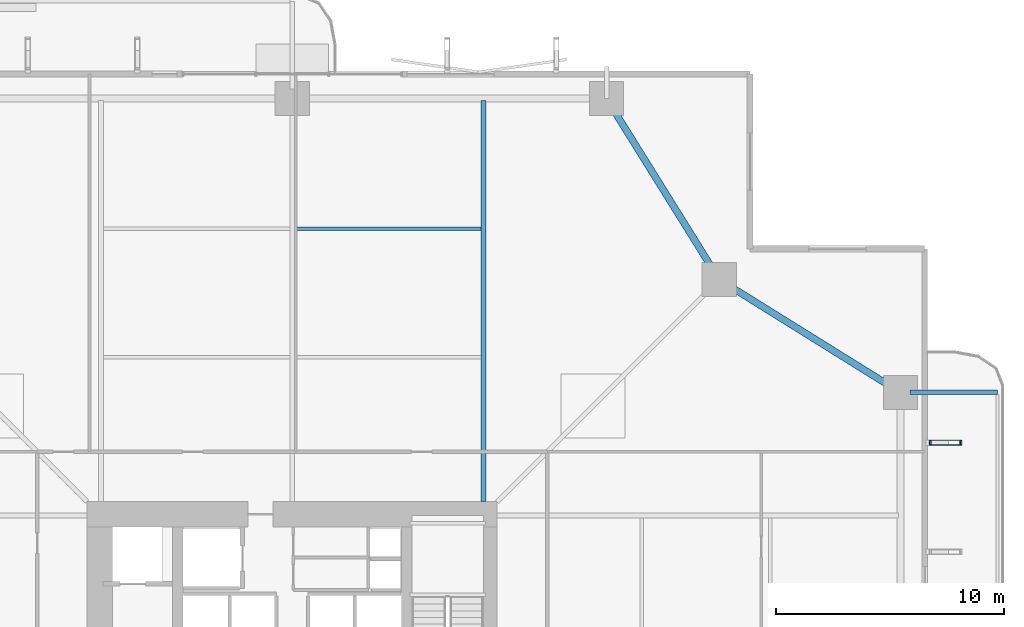
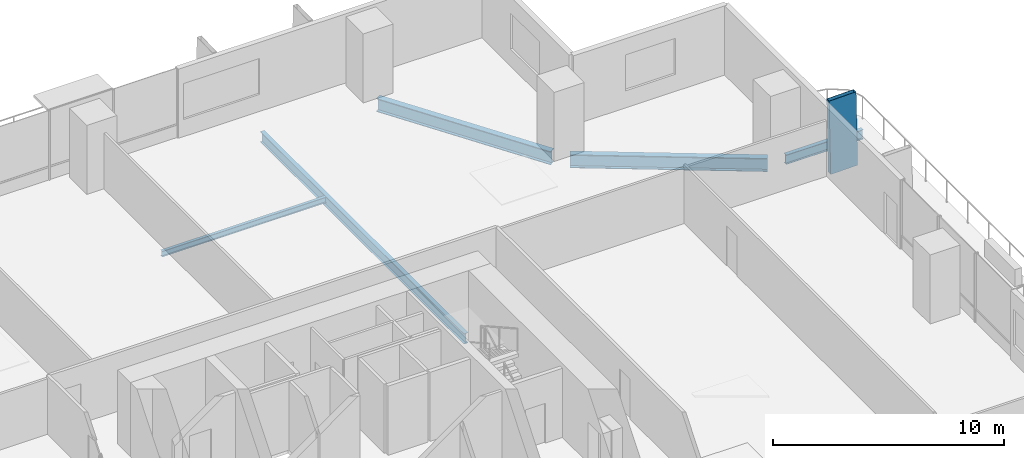
# One storey, part 14 of 24: 5 beams, 1 member.
"""IFC4 building model written with IfcOpenShell, lengths in metres."""

from ifc_helpers import new_model, si_unit, direction, frame, origin, origin_2d, place, context, subcontext, project, spatial, hollow_rectangle, i_section, extrude, material, material_profile, profile_set, type_object, element, save


model = new_model("IFC4")

# Units and contexts
model_context = context("Model", 3, precision=1e-05, world=origin(), true_north=direction((0.0, 1.0)))
body_context = subcontext(model_context, "Body", "Model", "MODEL_VIEW")
ifc_project = project(units=[si_unit("LENGTHUNIT", "METRE"), si_unit("AREAUNIT", "SQUARE_METRE"), si_unit("VOLUMEUNIT", "CUBIC_METRE"), si_unit("PLANEANGLEUNIT", "RADIAN"), si_unit("MASSUNIT", "GRAM", prefix="KILO")], contexts=[model_context])

# Site, building, storey
site_placement = place(None, origin())
site = spatial("IfcSite", under=ifc_project, at=site_placement, CompositionType="ELEMENT")
building_placement = place(site_placement, origin())
building = spatial("IfcBuilding", under=site, at=building_placement, Name="Belovzor Exchange Tower", CompositionType="ELEMENT")
storey_placement = place(building_placement, frame((0.0, 0.0, 80.699951171875)))
storey = spatial("IfcBuildingStorey", under=building, at=storey_placement, Name="L19", CompositionType="ELEMENT", Elevation=80.699951171875)

# Member
ifc_material_1 = material(Name="Extruded Architectural Terracotta on Steel S355 Carrier", Category="masonry")
ifc_material_profile_1 = material_profile(ifc_material_1, hollow_rectangle(XDim=0.219970703125, YDim=1.35009765625, WallThickness=0.013916015625, at=origin_2d()))
ifc_profile_set_1 = profile_set([ifc_material_profile_1], Name="Extruded Architectural Terracotta on Steel S355 Carrier")
member_type = type_object("IfcMemberType", Name="Base Arc Sweeping Terracotta Pylon Fin 1450", PredefinedType="USERDEFINED", material=ifc_profile_set_1)
member_placement = place(storey_placement, frame((57.528076171875, 40.39990234375, -0.25), z_axis=(-0.020027281305, 0.0, 0.999799433888), x_axis=(0.0, -1.0, 0.0)))
element("IfcMember", 1, at=member_placement, inside=storey, type_object=member_type, Name="FIN-TC145 Terracotta Facade Fin L19 E4", ObjectType="FIN", PredefinedType="USERDEFINED", context=body_context, shape_type="SweptSolid", body=[
    extrude(hollow_rectangle(XDim=0.219970703125, YDim=1.35009765625, WallThickness=0.013916015625, at=origin_2d()), origin(), (0.0, 0.0, 1.0), 3.90087890625),
])

# Beams
ifc_material_2 = material(Name="Steel S355", Category="steel")
ifc_material_profile_2 = material_profile(ifc_material_2, i_section(OverallWidth=0.199951171875, OverallDepth=0.5, WebThickness=0.01025390625, FlangeThickness=0.01611328125, at=origin_2d()))
ifc_profile_set_2 = profile_set([ifc_material_profile_2], Name="Steel S355")
beam_type_1 = type_object("IfcBeamType", Name="Planted Balcony Cantilever Beam IPE 500", PredefinedType="BEAM", material=ifc_profile_set_2)
beam_1_placement = place(storey_placement, frame((55.9130859375, 42.60009765625, -0.5), z_axis=(1.0, 0.0, 0.0), x_axis=(0.0, 1.0, 0.0)))
element("IfcBeam", 2, at=beam_1_placement, inside=storey, type_object=beam_type_1, Name="BC-500 Planted Balcony Cantilever Beam IPE 500", PredefinedType="BEAM", context=body_context, shape_type="SweptSolid", body=[
    extrude(i_section(OverallWidth=0.199951171875, OverallDepth=0.5, WebThickness=0.01025390625, FlangeThickness=0.01611328125, at=origin_2d()), origin(), (0.0, 0.0, 1.0), 3.849853515625),
])
ifc_material_3 = material(Name="Steel S355", Category="steel")
ifc_material_profile_3 = material_profile(ifc_material_3, i_section(OverallWidth=0.14990234375, OverallDepth=0.300048828125, WebThickness=0.007080078125, FlangeThickness=0.0107421875, at=origin_2d()))
ifc_profile_set_3 = profile_set([ifc_material_profile_3], Name="Steel S355")
beam_type_2 = type_object("IfcBeamType", Name="Secondary Trim Floor Joist IPE 300", PredefinedType="BEAM", material=ifc_profile_set_3)
beam_2_placement = place(storey_placement, frame((28.905029296875, 49.784912109375, -0.39990234375), z_axis=(1.0, 0.0, 0.0), x_axis=(0.0, 1.0, 0.0)))
element("IfcBeam", 3, at=beam_2_placement, inside=storey, type_object=beam_type_2, Name="FJ-300 Secondary Trim Floor Joist IPE 300", PredefinedType="BEAM", context=body_context, shape_type="SweptSolid", body=[
    extrude(i_section(OverallWidth=0.14990234375, OverallDepth=0.300048828125, WebThickness=0.007080078125, FlangeThickness=0.0107421875, at=origin_2d()), origin(), (0.0, 0.0, 1.0), 8.18994140625),
])
ifc_material_4 = material(Name="Steel S355", Category="steel")
ifc_material_profile_4 = material_profile(ifc_material_4, i_section(OverallWidth=0.300048828125, OverallDepth=0.699951171875, WebThickness=0.01708984375, FlangeThickness=0.031982421875, at=origin_2d()))
ifc_profile_set_4 = profile_set([ifc_material_profile_4], Name="Steel S355")
beam_type_3 = type_object("IfcBeamType", Name="Zone 1 Primary Perimeter Girder HEB 700", PredefinedType="BEAM", material=ifc_profile_set_4)
for number, where, z_axis, x_axis, name in (
    (4, (55.14990234375, 42.818115234375, -0.599853515625), (-0.848909251292, 0.528538629686, 0.0), (-0.528538629686, -0.848909251292, 0.0), "FG-Z1 Zone 1 Primary Perimeter Girder HEB 700"),
    (5, (47.33203125, 47.89990234375, -0.599853515625), (-0.528538629686, 0.848909251292, 0.0), (-0.848909251292, -0.528538629686, 0.0), "FG-Z1 Zone 1 Primary Perimeter Girder HEB 700"),
):
    element("IfcBeam", number, at=place(storey_placement, frame(where, z_axis=z_axis, x_axis=x_axis)), inside=storey, type_object=beam_type_3, Name=name, PredefinedType="BEAM", context=body_context, shape_type="SweptSolid", body=[
        extrude(i_section(OverallWidth=0.300048828125, OverallDepth=0.699951171875, WebThickness=0.01708984375, FlangeThickness=0.031982421875, at=origin_2d()), origin(), (0.0, 0.0, 1.0), 8.540283203125),
    ])
ifc_material_5 = material(Name="Steel S355", Category="steel")
ifc_material_profile_5 = material_profile(ifc_material_5, i_section(OverallWidth=0.2099609375, OverallDepth=0.550048828125, WebThickness=0.010986328125, FlangeThickness=0.01708984375, at=origin_2d()))
ifc_profile_set_5 = profile_set([ifc_material_profile_5], Name="Steel S355")
beam_type_4 = type_object("IfcBeamType", Name="Zone 1 Radial Composite Floor Beam IPE 550", PredefinedType="BEAM", material=ifc_profile_set_5)
beam_3_placement = place(storey_placement, frame((37.199951171875, 37.800048828125, -0.52490234375), z_axis=(0.0, 1.0, 0.0), x_axis=(-1.0, 0.0, 0.0)))
element("IfcBeam", 6, at=beam_3_placement, inside=storey, type_object=beam_type_4, Name="FB-550 Zone 1 Radial Composite Floor Beam IPE 550", PredefinedType="BEAM", context=body_context, shape_type="SweptSolid", body=[
    extrude(i_section(OverallWidth=0.2099609375, OverallDepth=0.550048828125, WebThickness=0.010986328125, FlangeThickness=0.01708984375, at=origin_2d()), origin(), (0.0, 0.0, 1.0), 17.625),
])

save(model, "model.ifc")
